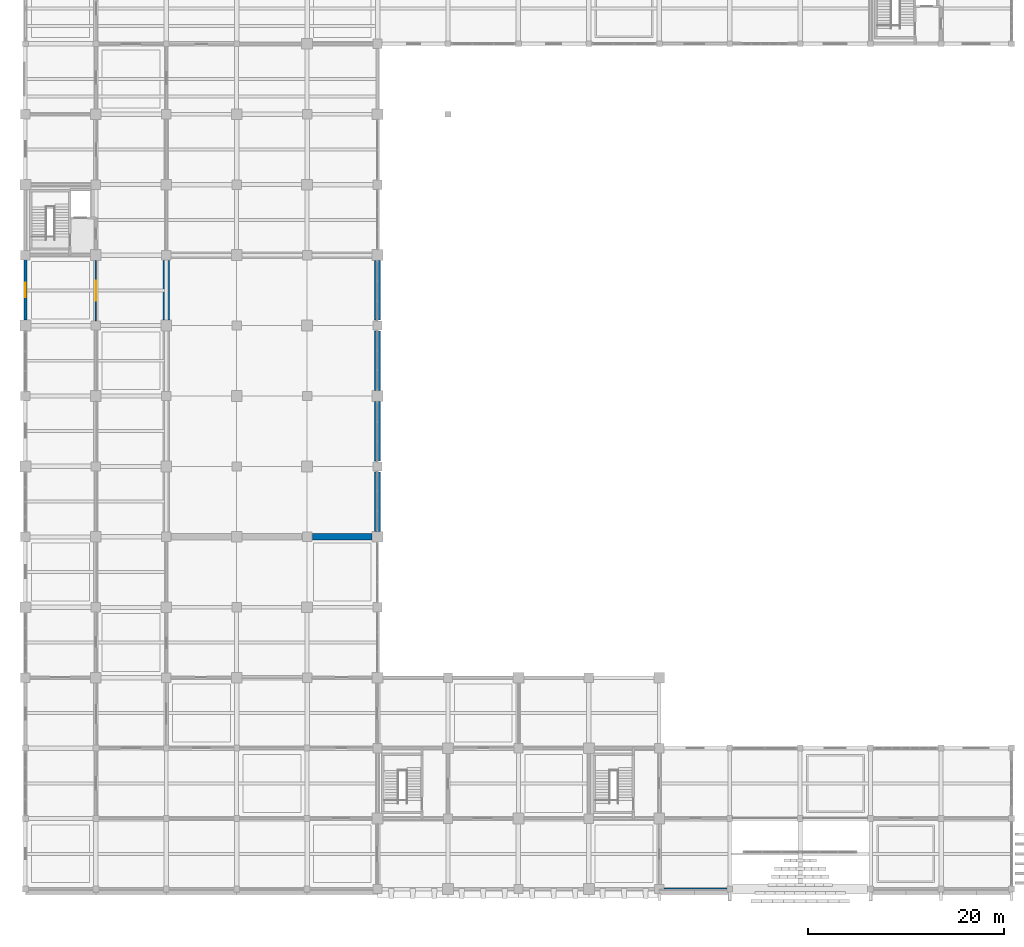
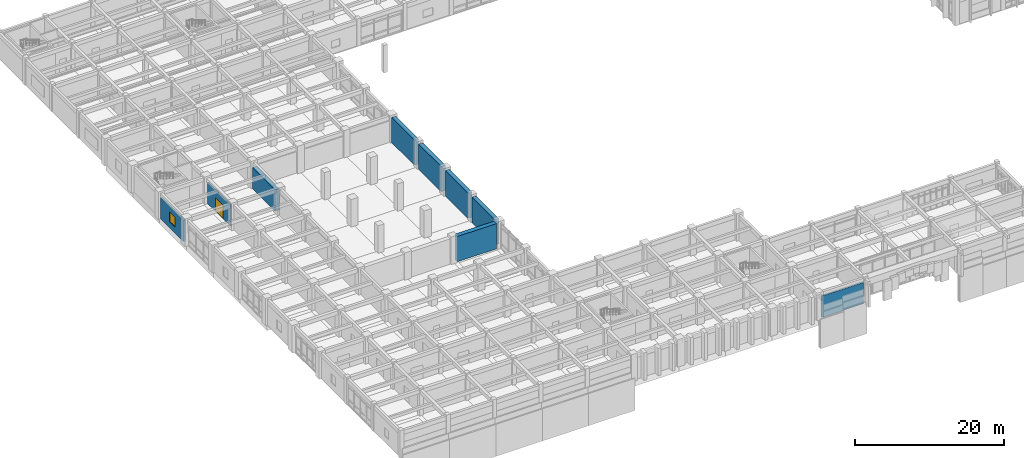
# One storey, part 61 of 81: 9 walls, 1 door, 1 window, 2 openings.
"""IFC4 building model written with IfcOpenShell, lengths in metres."""

import ifcopenshell
import ifcopenshell.guid

model = None  # the IFC model being written
_history = None  # IfcOwnerHistory: only IFC2X3 demands one
_inside = {}  # id of a spatial element -> (the spatial element, [elements in it])
_under = {}  # id of a project, library or spatial element -> (it, [spatial elements below it])
_declared = {}  # id of a project -> (the project, [libraries it declares])
_typed = {}  # id of a type object -> (the type object, [elements of that type])
_made_of = {}  # id of a material, layer set ... -> (it, [elements and type objects made of it])


def new_model(schema):
    """Start an empty IFC model of exactly this schema.

    Asked for "IFC4X3", IfcOpenShell would pick the latest addendum, in which some entities
    have other attributes; the version numbers below select the first issue.
    IFC2X3 requires an IfcOwnerHistory on every rooted entity: one is made here for all.
    """
    global model, _history
    if schema == "IFC4X3":
        model = ifcopenshell.file(schema_version=(4, 3, 0, 0))
    else:
        model = ifcopenshell.file(schema=schema)
    _inside.clear()
    _under.clear()
    _declared.clear()
    _typed.clear()
    _made_of.clear()
    _history = None
    if model.schema == "IFC2X3":
        org = make("IfcOrganization", Name="unknown")
        user = make(
            "IfcPersonAndOrganization",
            ThePerson=make("IfcPerson", FamilyName="unknown"),
            TheOrganization=org,
        )
        app = make(
            "IfcApplication",
            ApplicationDeveloper=org,
            Version="unknown",
            ApplicationFullName="unknown",
            ApplicationIdentifier="unknown",
        )
        _history = make(
            "IfcOwnerHistory",
            OwningUser=user,
            OwningApplication=app,
            ChangeAction="ADDED",
            CreationDate=0,
        )
    return model


def make(cls, **values):
    """One entity of the class cls with the attributes given. An attribute that is None is left unset."""
    return model.create_entity(
        cls, **{name: value for name, value in values.items() if value is not None}
    )


def rooted(cls, **values):
    """An entity with a GlobalId (a new one), such as an element, a storey or a relation."""
    return make(cls, GlobalId=ifcopenshell.guid.new(), OwnerHistory=_history, **values)


def si_unit(unit_type, name, prefix=None):
    """IfcSIUnit, for example si_unit("LENGTHUNIT", "METRE", prefix="MILLI")."""
    return make("IfcSIUnit", UnitType=unit_type, Prefix=prefix, Name=name)


def assignment(units):
    """IfcUnitAssignment: the units of a project."""
    return None if units is None else make("IfcUnitAssignment", Units=units)


def point(xyz):
    """IfcCartesianPoint."""
    return None if xyz is None else make("IfcCartesianPoint", Coordinates=xyz)


def direction(xyz):
    """IfcDirection."""
    return None if xyz is None else make("IfcDirection", DirectionRatios=xyz)


def frame(location, z_axis=None, x_axis=None):
    """IfcAxis2Placement3D, a coordinate frame: its origin and axes. An axis left out is left unset."""
    return make(
        "IfcAxis2Placement3D",
        Location=point(location),
        Axis=direction(z_axis),
        RefDirection=direction(x_axis),
    )


def frame_2d(location, x_axis=None):
    """IfcAxis2Placement2D, a coordinate frame in the plane: its origin and x axis."""
    return make(
        "IfcAxis2Placement2D", Location=point(location), RefDirection=direction(x_axis)
    )


def origin():
    """The frame at (0, 0, 0) with its axes left unset."""
    return frame((0.0, 0.0, 0.0))


def place(relative_to, where):
    """IfcLocalPlacement: puts the frame where relative to a parent placement (None: the world)."""
    return make(
        "IfcLocalPlacement", PlacementRelTo=relative_to, RelativePlacement=where
    )


def context(
    kind, dimensions, precision=None, world=None, true_north=None, identifier=None
):
    """IfcGeometricRepresentationContext, for example the 3D "Model" context."""
    return make(
        "IfcGeometricRepresentationContext",
        ContextIdentifier=identifier,
        ContextType=kind,
        CoordinateSpaceDimension=dimensions,
        Precision=precision,
        WorldCoordinateSystem=world,
        TrueNorth=true_north,
    )


def subcontext(parent, identifier, kind, view, scale=None):
    """IfcGeometricRepresentationSubContext, for example "Body" below "Model"."""
    return make(
        "IfcGeometricRepresentationSubContext",
        ContextIdentifier=identifier,
        ContextType=kind,
        ParentContext=parent,
        TargetScale=scale,
        TargetView=view,
    )


def project(units=None, contexts=None):
    """IfcProject with its units and contexts."""
    return rooted(
        "IfcProject",
        Name="project",
        RepresentationContexts=contexts,
        UnitsInContext=assignment(units),
    )


def spatial(cls, under=None, at=None, **own):
    """A site, building, storey or space (cls), placed at a placement, below another one or the project."""
    s = rooted(cls, ObjectPlacement=at, **own)
    if under is not None:
        _under.setdefault(under.id(), (under, []))[1].append(s)
    return s


def profile(cls, at=None, kind="AREA", **sizes):
    """A parametric profile (cls). Its sizes go by their IFC names, for example OverallWidth=200.0."""
    return make(cls, ProfileType=kind, Position=at, **sizes)


def rectangle(**sizes):
    """IfcRectangleProfileDef."""
    return profile("IfcRectangleProfileDef", **sizes)


def extrude(swept, where, along, depth):
    """IfcExtrudedAreaSolid: the profile swept, set in the frame where, extruded along a direction by depth."""
    return make(
        "IfcExtrudedAreaSolid",
        SweptArea=swept,
        Position=where,
        ExtrudedDirection=direction(along),
        Depth=depth,
    )


def shape(context_of_items, identifier, shape_type, items):
    """IfcShapeRepresentation: the items that make up one representation, for example the "Body"."""
    return make(
        "IfcShapeRepresentation",
        ContextOfItems=context_of_items,
        RepresentationIdentifier=identifier,
        RepresentationType=shape_type,
        Items=items,
    )


def material(Name=None, Category=None):
    """IfcMaterial."""
    return make("IfcMaterial", Name=Name, Category=Category)


def layer(
    of_material, thickness, ventilated=None, Name=None, Category=None, Priority=None
):
    """IfcMaterialLayer: one layer of a wall or slab, of a material (None: an air gap)."""
    return make(
        "IfcMaterialLayer",
        Material=of_material,
        LayerThickness=thickness,
        IsVentilated=ventilated,
        Name=Name,
        Category=Category,
        Priority=Priority,
    )


def layer_set(layers, Name=None):
    """IfcMaterialLayerSet."""
    return make("IfcMaterialLayerSet", MaterialLayers=layers, LayerSetName=Name)


def made_of(thing, what):
    """Note that an element or type object is made of a material, layer set ...; save() writes the relation."""
    if what is not None:
        _made_of.setdefault(what.id(), (what, []))[1].append(thing)
    return thing


def type_object(cls, material=None, **own):
    """A type object (cls), such as IfcWallType, which elements share."""
    return made_of(rooted(cls, **own), material)


def element(
    cls,
    number,
    at=None,
    inside=None,
    cuts=None,
    type_object=None,
    material=None,
    context=None,
    identifier="Body",
    shape_type=None,
    held_by="IfcProductDefinitionShape",
    body=None,
    shapes=None,
    **own,
):
    """One element of the class cls, such as IfcWall. Its Tag is "e" and its number.

    at: its placement. inside: the storey or other place that contains it. cuts: it is an
    opening in that element (IfcRelVoidsElement). A single representation is given by context,
    identifier, shape_type and body (its items); several are given by shapes. held_by: the class
    of the entity that holds the representations. save() writes the other relations.
    """
    e = rooted(cls, Tag="e%d" % number, ObjectPlacement=at, **own)
    if body is not None:
        shapes = [shape(context, identifier, shape_type, body)]
    if shapes is not None:
        e.Representation = make(held_by, Representations=shapes)
    if inside is not None:
        _inside.setdefault(inside.id(), (inside, []))[1].append(e)
    if cuts is not None:
        rooted(
            "IfcRelVoidsElement", RelatingBuildingElement=cuts, RelatedOpeningElement=e
        )
    if type_object is not None:
        _typed.setdefault(type_object.id(), (type_object, []))[1].append(e)
    return made_of(e, material)


def fill(opening, filler):
    """IfcRelFillsElement: the door or window that sits in an opening."""
    return rooted(
        "IfcRelFillsElement",
        RelatingOpeningElement=opening,
        RelatedBuildingElement=filler,
    )


def aggregate(whole, parts):
    """IfcRelAggregates: a whole, such as a stair, and the parts it consists of."""
    return rooted("IfcRelAggregates", RelatingObject=whole, RelatedObjects=parts)


def save(model, path):
    """Write the relations noted so far, then the file.

    IfcRelAggregates (storeys below a building ...), IfcRelContainedInSpatialStructure (elements
    in a storey), IfcRelDefinesByType, IfcRelAssociatesMaterial and IfcRelDeclares: one each for
    every whole, place, type object, material and project.
    """
    for whole, parts in _under.values():
        aggregate(whole, parts)
    for where, things in _inside.values():
        rooted(
            "IfcRelContainedInSpatialStructure",
            RelatedElements=things,
            RelatingStructure=where,
        )
    for kind, things in _typed.values():
        rooted("IfcRelDefinesByType", RelatedObjects=things, RelatingType=kind)
    for what, things in _made_of.values():
        rooted("IfcRelAssociatesMaterial", RelatedObjects=things, RelatingMaterial=what)
    for by, libraries in _declared.values():
        rooted("IfcRelDeclares", RelatingContext=by, RelatedDefinitions=libraries)
    model.write(path)


model = new_model("IFC4")

# Units and contexts
model_context = context("Model", 3, precision=1e-05, world=origin(), true_north=direction((0.0, 1.0)))
body_context = subcontext(model_context, "Body", "Model", "MODEL_VIEW")
ifc_project = project(units=[si_unit("LENGTHUNIT", "METRE"), si_unit("AREAUNIT", "SQUARE_METRE"), si_unit("VOLUMEUNIT", "CUBIC_METRE"), si_unit("PLANEANGLEUNIT", "RADIAN"), si_unit("MASSUNIT", "GRAM", prefix="KILO")], contexts=[model_context])

# Site, building, storey
site_placement = place(None, origin())
site = spatial("IfcSite", under=ifc_project, at=site_placement, CompositionType="ELEMENT")
building_placement = place(site_placement, origin())
building = spatial("IfcBuilding", under=site, at=building_placement, Name="Kavelor Marine Aquarium", CompositionType="ELEMENT")
storey_placement = place(building_placement, frame((0.0, 0.0, 4.679931640625)))
storey = spatial("IfcBuildingStorey", under=building, at=storey_placement, Name="L01", CompositionType="ELEMENT", Elevation=4.679931640625)

# Wall, opening, window
ifc_material_1 = material(Name="Concrete C40/50", Category="concrete")
ifc_layer_1 = layer(ifc_material_1, 0.280029296875)
ifc_layer_set_1 = layer_set([ifc_layer_1], Name="WL-EX4")
wall_type_1 = type_object("IfcWallType", Name="WL-EX4", PredefinedType="STANDARD", material=ifc_layer_set_1)
wall_1_placement = place(storey_placement, frame((3.199951171875, 60.945068359375, 0.0), z_axis=(0.0, 0.0, 1.0), x_axis=(0.0, 1.0, 0.0)))
wall_1 = element("IfcWall", 1, at=wall_1_placement, inside=storey, type_object=wall_type_1, Name="ew:y:L01:00_08", PredefinedType="STANDARD", context=body_context, shape_type="SweptSolid", body=[
    extrude(rectangle(XDim=6.184814453125, YDim=0.280029296875, at=frame_2d((3.09228515625, 0.0))), origin(), (0.0, 0.0, 1.0), 3.489990234375),
])
opening_1_placement = place(wall_1_placement, frame((2.342529296875, 0.0, 0.949951171875)))
opening_1 = element("IfcOpeningElement", 2, at=opening_1_placement, cuts=wall_1, Name="Opening W05", PredefinedType="OPENING", context=body_context, shape_type="SweptSolid", body=[
    extrude(rectangle(XDim=1.5, YDim=1.64990234375, at=frame_2d((0.75, 0.824951171875))), frame((0.0, 0.14990234375, 0.0), z_axis=(0.0, -1.0, 0.0), x_axis=(1.0, 0.0, 0.0)), (0.0, 0.0, 1.0), 0.300029),
])
ifc_material_2 = material(Name="Anodised Aluminium Frame with Low-E Double Glazing", Category="aluminium")
window_type = type_object("IfcWindowType", Name="WIN-W05", PartitioningType="SINGLE_PANEL", PredefinedType="WINDOW", material=ifc_material_2)
window_placement = place(opening_1_placement, origin())
window = element("IfcWindow", 3, at=window_placement, inside=storey, type_object=window_type, Name="win:y:L01:00_08", OverallHeight=1.64990234375, OverallWidth=1.5, PartitioningType="SINGLE_PANEL", PredefinedType="WINDOW", context=body_context, shape_type="SweptSolid", body=[
    extrude(rectangle(XDim=1.5, YDim=1.64990234375, at=frame_2d((0.75, 0.824951171875))), frame((0.0, 0.030029296875, 0.0), z_axis=(0.0, -1.0, 0.0), x_axis=(1.0, 0.0, 0.0)), (0.0, 0.0, 1.0), 0.06005859375),
])
fill(opening_1, window)

# Wall
ifc_material_3 = material(Name="Concrete C40/50", Category="concrete")
ifc_layer_2 = layer(ifc_material_3, 0.260009765625)
ifc_layer_set_2 = layer_set([ifc_layer_2], Name="WL-EX5")
wall_type_2 = type_object("IfcWallType", Name="WL-EX5", PredefinedType="STANDARD", material=ifc_layer_set_2)
wall_2_placement = place(storey_placement, frame((74.905029296875, 2.800048828125, 0.0), z_axis=(0.0, 0.0, 1.0), x_axis=(-1.0, 0.0, 0.0)))
element("IfcWall", 4, at=wall_2_placement, inside=storey, type_object=wall_type_2, Name="ew:x:L01:09_00", PredefinedType="STANDARD", context=body_context, shape_type="SweptSolid", body=[
    extrude(rectangle(XDim=6.43505859375, YDim=0.260009765625, at=frame_2d((3.217529296875, 0.0))), origin(), (0.0, 0.0, 1.0), 3.510009765625),
])

# Wall, opening, door
ifc_material_4 = material(Name="Acoustic Gypsum Stud Partition")
ifc_layer_3 = layer(ifc_material_4, 0.159912109375)
ifc_layer_set_3 = layer_set([ifc_layer_3], Name="WL-PT2")
wall_type_3 = type_object("IfcWallType", Name="WL-PT2", PredefinedType="PARTITIONING", material=ifc_layer_set_3)
wall_3_placement = place(storey_placement, frame((10.39990234375, 60.875, 0.0), z_axis=(0.0, 0.0, 1.0), x_axis=(0.0, 1.0, 0.0)))
wall_3 = element("IfcWall", 5, at=wall_3_placement, inside=storey, type_object=wall_type_3, Name="pt:y:L01:00_08", PredefinedType="PARTITIONING", context=body_context, shape_type="SweptSolid", body=[
    extrude(rectangle(XDim=6.175048828125, YDim=0.159912109375, at=frame_2d((3.08740234375, 0.0))), origin(), (0.0, 0.0, 1.0), 3.5400390625),
])
opening_2_placement = place(wall_3_placement, frame((2.0576171875, 0.0, 0.0)))
opening_2 = element("IfcOpeningElement", 6, at=opening_2_placement, cuts=wall_3, Name="Opening D14", PredefinedType="OPENING", context=body_context, shape_type="SweptSolid", body=[
    extrude(rectangle(XDim=2.06005859375, YDim=2.280029296875, at=frame_2d((1.030029296875, 1.14013671875))), frame((0.0, 0.08984375, 0.0), z_axis=(0.0, -1.0, 0.0), x_axis=(1.0, 0.0, 0.0)), (0.0, 0.0, 1.0), 0.179912),
])
ifc_material_5 = material(Name="LSS Filtration Equipment Double Door")
door_type = type_object("IfcDoorType", Name="DR-D14", OperationType="NOTDEFINED", PredefinedType="DOOR", material=ifc_material_5)
door_placement = place(opening_2_placement, origin())
door = element("IfcDoor", 7, at=door_placement, inside=storey, type_object=door_type, Name="dr:rm:pt:y:L01:00_08:1", OperationType="DOUBLE_DOOR_SINGLE_SWING", OverallHeight=2.280029296875, OverallWidth=2.06005859375, PredefinedType="DOOR", context=body_context, shape_type="SweptSolid", body=[
    extrude(rectangle(XDim=2.06005859375, YDim=2.280029296875, at=frame_2d((1.030029296875, 1.14013671875))), frame((0.0, 0.02490234375, 0.0), z_axis=(0.0, -1.0, 0.0), x_axis=(1.0, 0.0, 0.0)), (0.0, 0.0, 1.0), 0.050048828125),
])
fill(opening_2, door)

# Walls
ifc_material_6 = material(Name="Concrete C45/55", Category="concrete")
ifc_layer_4 = layer(ifc_material_6, 0.64990234375)
ifc_layer_set_4 = layer_set([ifc_layer_4], Name="WL-TK1")
wall_type_4 = type_object("IfcWallType", Name="WL-TK1", PredefinedType="SHEAR", material=ifc_layer_set_4)
wall_4_placement = place(storey_placement, frame((32.550048828125, 38.800048828125, 0.0), z_axis=(0.0, 0.0, 1.0), x_axis=(1.0, 0.0, 0.0)))
element("IfcWall", 8, at=wall_4_placement, inside=storey, type_object=wall_type_4, Name="tkw:x:L01:04_05", PredefinedType="SHEAR", context=body_context, shape_type="SweptSolid", body=[
    extrude(rectangle(XDim=6.099853515625, YDim=0.64990234375, at=frame_2d((3.0498046875, 0.0))), origin(), (0.0, 0.0, 1.0), 4.150146484375),
])
wall_5_placement = place(storey_placement, frame((17.60009765625, 60.949951171875, 0.0), z_axis=(0.0, 0.0, 1.0), x_axis=(0.0, 1.0, 0.0)))
element("IfcWall", 9, at=wall_5_placement, inside=storey, type_object=wall_type_4, Name="tkw:y:L01:02_08", PredefinedType="SHEAR", context=body_context, shape_type="SweptSolid", body=[
    extrude(rectangle(XDim=6.10009765625, YDim=0.64990234375, at=frame_2d((3.050048828125, 0.0))), origin(), (0.0, 0.0, 1.0), 3.52001953125),
])
for number, where, z_axis, x_axis, name in (
    (10, (39.199951171875, 39.35009765625, 0.0), (0.0, 0.0, 1.0), (0.0, 1.0, 0.0), "tkw:y:L01:05_05"),
    (11, (39.199951171875, 46.550048828125, 0.0), (0.0, 0.0, 1.0), (0.0, 1.0, 0.0), "tkw:y:L01:05_06"),
):
    element("IfcWall", number, at=place(storey_placement, frame(where, z_axis=z_axis, x_axis=x_axis)), inside=storey, type_object=wall_type_4, Name=name, PredefinedType="SHEAR", context=body_context, shape_type="SweptSolid", body=[
        extrude(rectangle(XDim=6.099853515625, YDim=0.64990234375, at=frame_2d((3.0498046875, 0.0))), origin(), (0.0, 0.0, 1.0), 4.150146484375),
    ])
for number, where, z_axis, x_axis, name in (
    (12, (39.199951171875, 53.75, 0.0), (0.0, 0.0, 1.0), (0.0, 1.0, 0.0), "tkw:y:L01:05_07"),
    (13, (39.199951171875, 60.949951171875, 0.0), (0.0, 0.0, 1.0), (0.0, 1.0, 0.0), "tkw:y:L01:05_08"),
):
    element("IfcWall", number, at=place(storey_placement, frame(where, z_axis=z_axis, x_axis=x_axis)), inside=storey, type_object=wall_type_4, Name=name, PredefinedType="SHEAR", context=body_context, shape_type="SweptSolid", body=[
        extrude(rectangle(XDim=6.10009765625, YDim=0.64990234375, at=frame_2d((3.050048828125, 0.0))), origin(), (0.0, 0.0, 1.0), 4.150146484375),
    ])

save(model, "model.ifc")
